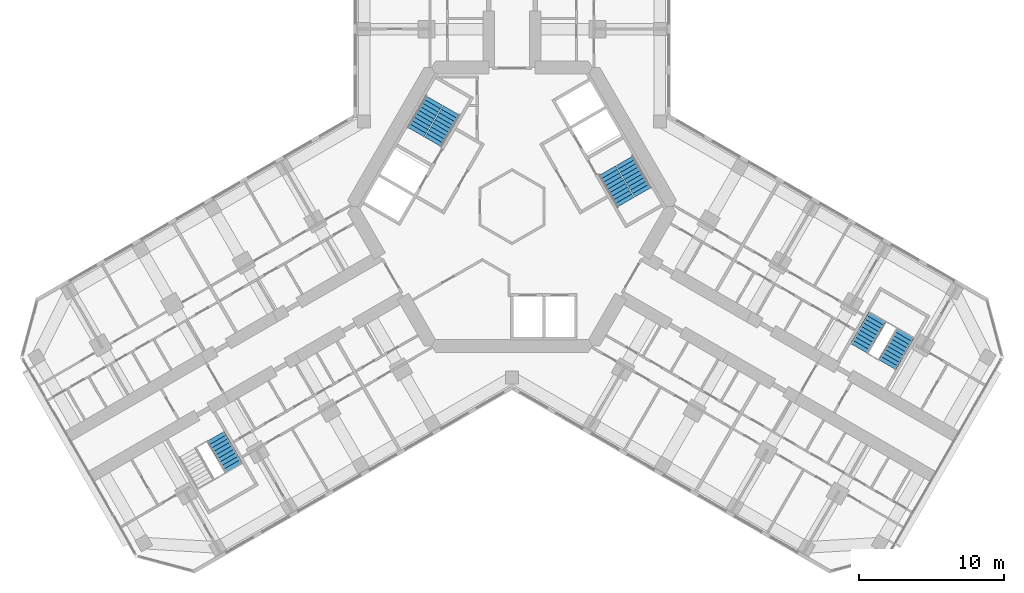
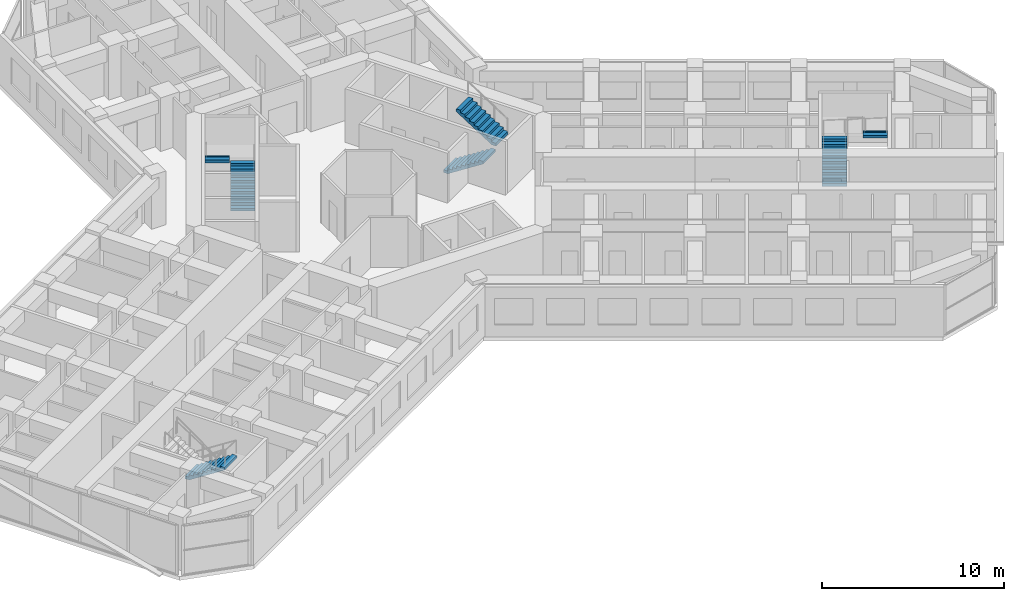
# One storey, part 19 of 20: 7 stair flights, 4 elements without a shape of their own.
"""IFC4 building model written with IfcOpenShell, lengths in metres."""

from ifc_helpers import new_model, si_unit, direction, frame, origin, place, context, subcontext, project, spatial, polyline, outline, extrude, material, type_object, element, aggregate, save


model = new_model("IFC4")

# Units and contexts
model_context = context("Model", 3, precision=1e-05, world=origin(), true_north=direction((0.0, 1.0)))
body_context = subcontext(model_context, "Body", "Model", "MODEL_VIEW")
ifc_project = project(units=[si_unit("LENGTHUNIT", "METRE"), si_unit("AREAUNIT", "SQUARE_METRE"), si_unit("VOLUMEUNIT", "CUBIC_METRE"), si_unit("PLANEANGLEUNIT", "RADIAN"), si_unit("MASSUNIT", "GRAM", prefix="KILO")], contexts=[model_context])

# Site, building, storey
site_placement = place(None, origin())
site = spatial("IfcSite", under=ifc_project, at=site_placement, CompositionType="ELEMENT")
building_placement = place(site_placement, origin())
building = spatial("IfcBuilding", under=site, at=building_placement, Name="Kosmar Iwan School Tower", CompositionType="ELEMENT")
storey_placement = place(building_placement, frame((0.0, 0.0, 179.60009765625)))
storey = spatial("IfcBuildingStorey", under=building, at=storey_placement, Name="L45", CompositionType="ELEMENT", Elevation=179.60009765625)

# Stair, stair flight
ifc_material_1 = material(Name="Concrete C35/45", Category="concrete")
stair_type_1 = type_object("IfcStairType", Name="Escape stair 3600", PredefinedType="HALF_TURN_STAIR", material=ifc_material_1)
stair_1_placement = place(storey_placement, origin())
stair_1 = element("IfcStair", 1, at=stair_1_placement, inside=storey, type_object=stair_type_1, Name="Stair WS2 L45", PredefinedType="HALF_TURN_STAIR")
ifc_material_2 = material(Name="Concrete C35/45", Category="concrete")
stair_flight_type_1 = type_object("IfcStairFlightType", Name="Escape stair flight 1350", PredefinedType="STRAIGHT", material=ifc_material_2)
stair_flight_1_placement = place(storey_placement, frame((-20.44189453125, -15.843505859375, 0.0), z_axis=(0.0, 0.0, 1.0), x_axis=(0.5, -0.866025403784, 0.0)))
stair_flight_1 = element("IfcStairFlight", 2, at=stair_flight_1_placement, type_object=stair_flight_type_1, Name="WS2 flight 1", NumberOfRisers=10, NumberOfTreads=9, PredefinedType="STRAIGHT", RiserHeight=0.18, TreadLength=0.28, context=body_context, shape_type="SweptSolid", body=[
    extrude(outline(polyline([(0.0, 0.0), (0.0, 0.179931640625), (0.280029296875, 0.179931640625), (0.280029296875, 0.360107421875), (0.56005859375, 0.360107421875), (0.56005859375, 0.5400390625), (0.840087890625, 0.5400390625), (0.840087890625, 0.719970703125), (1.1201171875, 0.719970703125), (1.1201171875, 0.89990234375), (1.39990234375, 0.89990234375), (1.39990234375, 1.080078125), (1.679931640625, 1.080078125), (1.679931640625, 1.260009765625), (1.9599609375, 1.260009765625), (1.9599609375, 1.43994140625), (2.239990234375, 1.43994140625), (2.239990234375, 1.6201171875), (2.52001953125, 1.6201171875), (2.52001953125, 1.800048828125), (2.52001953125, 1.44189453125), (0.277099609375, 0.0), (0.0, 0.0)])), frame((0.0, 0.675048828125, 0.0), z_axis=(0.0, -1.0, 0.0), x_axis=(1.0, 0.0, 0.0)), (0.0, 0.0, 1.0), 1.35009765625),
])
aggregate(stair_1, [stair_flight_1])

# Stair, stair flights
stair_2_placement = place(storey_placement, origin())
stair_2 = element("IfcStair", 3, at=stair_2_placement, inside=storey, type_object=stair_type_1, Name="Stair WS3 L45", PredefinedType="HALF_TURN_STAIR")
stair_flight_2_placement = place(storey_placement, frame((23.94189453125, -9.781494140625, 0.0), z_axis=(0.0, 0.0, 1.0), x_axis=(0.5, 0.866025403784, 0.0)))
stair_flight_2 = element("IfcStairFlight", 4, at=stair_flight_2_placement, type_object=stair_flight_type_1, Name="WS3 flight 1", NumberOfRisers=10, NumberOfTreads=9, PredefinedType="STRAIGHT", RiserHeight=0.18, TreadLength=0.28, context=body_context, shape_type="SweptSolid", body=[
    extrude(outline(polyline([(0.0, 0.0), (0.0, 0.179931640625), (0.280029296875, 0.179931640625), (0.280029296875, 0.360107421875), (0.56005859375, 0.360107421875), (0.56005859375, 0.5400390625), (0.840087890625, 0.5400390625), (0.840087890625, 0.719970703125), (1.1201171875, 0.719970703125), (1.1201171875, 0.89990234375), (1.39990234375, 0.89990234375), (1.39990234375, 1.080078125), (1.679931640625, 1.080078125), (1.679931640625, 1.260009765625), (1.9599609375, 1.260009765625), (1.9599609375, 1.43994140625), (2.239990234375, 1.43994140625), (2.239990234375, 1.6201171875), (2.52001953125, 1.6201171875), (2.52001953125, 1.800048828125), (2.52001953125, 1.44189453125), (0.277099609375, 0.0), (0.0, 0.0)])), frame((0.0, 0.675048828125, 0.0), z_axis=(0.0, -1.0, 0.0), x_axis=(1.0, 0.0, 0.0)), (0.0, 0.0, 1.0), 1.35009765625),
])
stair_flight_3_placement = place(storey_placement, frame((27.150390625, -8.72412109375, 1.7998046875), z_axis=(0.0, 0.0, 1.0), x_axis=(-0.5, -0.866025403784, 0.0)))
stair_flight_3 = element("IfcStairFlight", 5, at=stair_flight_3_placement, type_object=stair_flight_type_1, Name="WS3 flight 2", NumberOfRisers=10, NumberOfTreads=9, PredefinedType="STRAIGHT", RiserHeight=0.18, TreadLength=0.28, context=body_context, shape_type="SweptSolid", body=[
    extrude(outline(polyline([(0.0, 0.0), (0.0, 0.179931640625), (0.280029296875, 0.179931640625), (0.280029296875, 0.360107421875), (0.56005859375, 0.360107421875), (0.56005859375, 0.5400390625), (0.840087890625, 0.5400390625), (0.840087890625, 0.719970703125), (1.1201171875, 0.719970703125), (1.1201171875, 0.89990234375), (1.39990234375, 0.89990234375), (1.39990234375, 1.080078125), (1.679931640625, 1.080078125), (1.679931640625, 1.260009765625), (1.9599609375, 1.260009765625), (1.9599609375, 1.43994140625), (2.239990234375, 1.43994140625), (2.239990234375, 1.6201171875), (2.52001953125, 1.6201171875), (2.52001953125, 1.800048828125), (2.52001953125, 1.44189453125), (0.277099609375, 0.0), (0.0, 0.0)])), frame((0.0, 0.675048828125, 0.0), z_axis=(0.0, -1.0, 0.0), x_axis=(1.0, 0.0, 0.0)), (0.0, 0.0, 1.0), 1.35009765625),
])
aggregate(stair_2, [stair_flight_2, stair_flight_3])

ifc_material_3 = material(Name="Concrete C35/45", Category="concrete")
stair_type_2 = type_object("IfcStairType", Name="Core stair 2750", PredefinedType="HALF_TURN_STAIR", material=ifc_material_3)
stair_3_placement = place(storey_placement, origin())
stair_3 = element("IfcStair", 6, at=stair_3_placement, inside=storey, type_object=stair_type_2, Name="Stair ST2 L45", PredefinedType="HALF_TURN_STAIR")
ifc_material_4 = material(Name="Concrete C35/45", Category="concrete")
stair_flight_type_2 = type_object("IfcStairFlightType", Name="Stair flight 1350", PredefinedType="STRAIGHT", material=ifc_material_4)
stair_flight_4_placement = place(storey_placement, frame((-5.42724609375, 4.44970703125, 0.0), z_axis=(0.0, 0.0, 1.0), x_axis=(0.5, 0.866025403784, 0.0)))
stair_flight_4 = element("IfcStairFlight", 7, at=stair_flight_4_placement, type_object=stair_flight_type_2, Name="ST2 flight 1", NumberOfRisers=10, NumberOfTreads=9, PredefinedType="STRAIGHT", RiserHeight=0.18, TreadLength=0.28, context=body_context, shape_type="SweptSolid", body=[
    extrude(outline(polyline([(0.0, 0.0), (0.0, 0.179931640625), (0.280029296875, 0.179931640625), (0.280029296875, 0.360107421875), (0.56005859375, 0.360107421875), (0.56005859375, 0.5400390625), (0.840087890625, 0.5400390625), (0.840087890625, 0.719970703125), (1.1201171875, 0.719970703125), (1.1201171875, 0.89990234375), (1.39990234375, 0.89990234375), (1.39990234375, 1.080078125), (1.679931640625, 1.080078125), (1.679931640625, 1.260009765625), (1.9599609375, 1.260009765625), (1.9599609375, 1.43994140625), (2.239990234375, 1.43994140625), (2.239990234375, 1.6201171875), (2.52001953125, 1.6201171875), (2.52001953125, 1.800048828125), (2.52001953125, 1.44189453125), (0.277099609375, 0.0), (0.0, 0.0)])), frame((0.0, 0.675048828125, 0.0), z_axis=(0.0, -1.0, 0.0), x_axis=(1.0, 0.0, 0.0)), (0.0, 0.0, 1.0), 1.35009765625),
])
stair_flight_5_placement = place(storey_placement, frame((-5.379638671875, 7.33203125, 1.7998046875), z_axis=(0.0, 0.0, 1.0), x_axis=(-0.5, -0.866025403784, 0.0)))
stair_flight_5 = element("IfcStairFlight", 8, at=stair_flight_5_placement, type_object=stair_flight_type_2, Name="ST2 flight 2", NumberOfRisers=10, NumberOfTreads=9, PredefinedType="STRAIGHT", RiserHeight=0.18, TreadLength=0.28, context=body_context, shape_type="SweptSolid", body=[
    extrude(outline(polyline([(0.0, 0.0), (0.0, 0.179931640625), (0.280029296875, 0.179931640625), (0.280029296875, 0.360107421875), (0.56005859375, 0.360107421875), (0.56005859375, 0.5400390625), (0.840087890625, 0.5400390625), (0.840087890625, 0.719970703125), (1.1201171875, 0.719970703125), (1.1201171875, 0.89990234375), (1.39990234375, 0.89990234375), (1.39990234375, 1.080078125), (1.679931640625, 1.080078125), (1.679931640625, 1.260009765625), (1.9599609375, 1.260009765625), (1.9599609375, 1.43994140625), (2.239990234375, 1.43994140625), (2.239990234375, 1.6201171875), (2.52001953125, 1.6201171875), (2.52001953125, 1.800048828125), (2.52001953125, 1.44189453125), (0.277099609375, 0.0), (0.0, 0.0)])), frame((0.0, 0.675048828125, 0.0), z_axis=(0.0, -1.0, 0.0), x_axis=(1.0, 0.0, 0.0)), (0.0, 0.0, 1.0), 1.35009765625),
])
aggregate(stair_3, [stair_flight_4, stair_flight_5])

stair_4_placement = place(storey_placement, origin())
stair_4 = element("IfcStair", 9, at=stair_4_placement, inside=storey, type_object=stair_type_2, Name="Stair ST1 L45", PredefinedType="HALF_TURN_STAIR")
stair_flight_6_placement = place(storey_placement, frame((6.567138671875, 2.475341796875, 0.0), z_axis=(0.0, 0.0, 1.0), x_axis=(0.5, -0.866025403784, 0.0)))
stair_flight_6 = element("IfcStairFlight", 10, at=stair_flight_6_placement, type_object=stair_flight_type_2, Name="ST1 flight 1", NumberOfRisers=10, NumberOfTreads=9, PredefinedType="STRAIGHT", RiserHeight=0.18, TreadLength=0.28, context=body_context, shape_type="SweptSolid", body=[
    extrude(outline(polyline([(0.0, 0.0), (0.0, 0.179931640625), (0.280029296875, 0.179931640625), (0.280029296875, 0.360107421875), (0.56005859375, 0.360107421875), (0.56005859375, 0.5400390625), (0.840087890625, 0.5400390625), (0.840087890625, 0.719970703125), (1.1201171875, 0.719970703125), (1.1201171875, 0.89990234375), (1.39990234375, 0.89990234375), (1.39990234375, 1.080078125), (1.679931640625, 1.080078125), (1.679931640625, 1.260009765625), (1.9599609375, 1.260009765625), (1.9599609375, 1.43994140625), (2.239990234375, 1.43994140625), (2.239990234375, 1.6201171875), (2.52001953125, 1.6201171875), (2.52001953125, 1.800048828125), (2.52001953125, 1.44189453125), (0.277099609375, 0.0), (0.0, 0.0)])), frame((0.0, 0.675048828125, 0.0), z_axis=(0.0, -1.0, 0.0), x_axis=(1.0, 0.0, 0.0)), (0.0, 0.0, 1.0), 1.35009765625),
])
stair_flight_7_placement = place(storey_placement, frame((9.03955078125, 0.992919921875, 1.7998046875), z_axis=(0.0, 0.0, 1.0), x_axis=(-0.5, 0.866025403784, 0.0)))
stair_flight_7 = element("IfcStairFlight", 11, at=stair_flight_7_placement, type_object=stair_flight_type_2, Name="ST1 flight 2", NumberOfRisers=10, NumberOfTreads=9, PredefinedType="STRAIGHT", RiserHeight=0.18, TreadLength=0.28, context=body_context, shape_type="SweptSolid", body=[
    extrude(outline(polyline([(0.0, 0.0), (0.0, 0.179931640625), (0.280029296875, 0.179931640625), (0.280029296875, 0.360107421875), (0.56005859375, 0.360107421875), (0.56005859375, 0.5400390625), (0.840087890625, 0.5400390625), (0.840087890625, 0.719970703125), (1.1201171875, 0.719970703125), (1.1201171875, 0.89990234375), (1.39990234375, 0.89990234375), (1.39990234375, 1.080078125), (1.679931640625, 1.080078125), (1.679931640625, 1.260009765625), (1.9599609375, 1.260009765625), (1.9599609375, 1.43994140625), (2.239990234375, 1.43994140625), (2.239990234375, 1.6201171875), (2.52001953125, 1.6201171875), (2.52001953125, 1.800048828125), (2.52001953125, 1.44189453125), (0.277099609375, 0.0), (0.0, 0.0)])), frame((0.0, 0.675048828125, 0.0), z_axis=(0.0, -1.0, 0.0), x_axis=(1.0, 0.0, 0.0)), (0.0, 0.0, 1.0), 1.35009765625),
])
aggregate(stair_4, [stair_flight_6, stair_flight_7])

save(model, "model.ifc")
